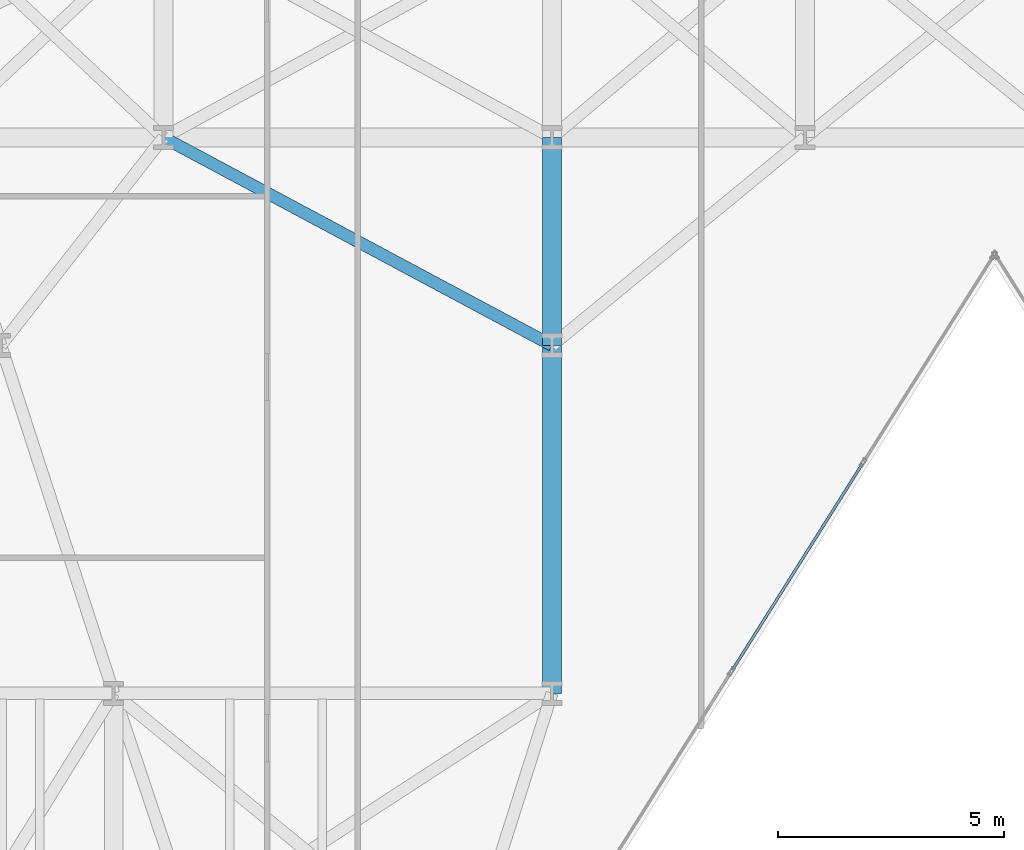
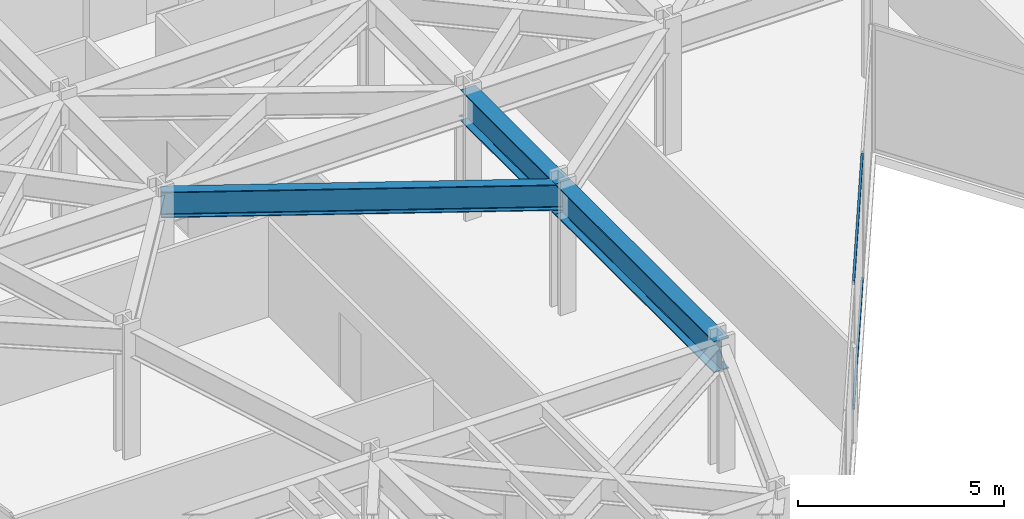
# One storey, part 9 of 24: 3 beams, 2 members, 1 element without a shape of its own.
"""IFC4 building model written with IfcOpenShell, lengths in metres."""

import ifcopenshell
import ifcopenshell.guid

model = None  # the IFC model being written
_history = None  # IfcOwnerHistory: only IFC2X3 demands one
_inside = {}  # id of a spatial element -> (the spatial element, [elements in it])
_under = {}  # id of a project, library or spatial element -> (it, [spatial elements below it])
_declared = {}  # id of a project -> (the project, [libraries it declares])
_typed = {}  # id of a type object -> (the type object, [elements of that type])
_made_of = {}  # id of a material, layer set ... -> (it, [elements and type objects made of it])


def new_model(schema):
    """Start an empty IFC model of exactly this schema.

    Asked for "IFC4X3", IfcOpenShell would pick the latest addendum, in which some entities
    have other attributes; the version numbers below select the first issue.
    IFC2X3 requires an IfcOwnerHistory on every rooted entity: one is made here for all.
    """
    global model, _history
    if schema == "IFC4X3":
        model = ifcopenshell.file(schema_version=(4, 3, 0, 0))
    else:
        model = ifcopenshell.file(schema=schema)
    _inside.clear()
    _under.clear()
    _declared.clear()
    _typed.clear()
    _made_of.clear()
    _history = None
    if model.schema == "IFC2X3":
        org = make("IfcOrganization", Name="unknown")
        user = make(
            "IfcPersonAndOrganization",
            ThePerson=make("IfcPerson", FamilyName="unknown"),
            TheOrganization=org,
        )
        app = make(
            "IfcApplication",
            ApplicationDeveloper=org,
            Version="unknown",
            ApplicationFullName="unknown",
            ApplicationIdentifier="unknown",
        )
        _history = make(
            "IfcOwnerHistory",
            OwningUser=user,
            OwningApplication=app,
            ChangeAction="ADDED",
            CreationDate=0,
        )
    return model


def make(cls, **values):
    """One entity of the class cls with the attributes given. An attribute that is None is left unset."""
    return model.create_entity(
        cls, **{name: value for name, value in values.items() if value is not None}
    )


def rooted(cls, **values):
    """An entity with a GlobalId (a new one), such as an element, a storey or a relation."""
    return make(cls, GlobalId=ifcopenshell.guid.new(), OwnerHistory=_history, **values)


def si_unit(unit_type, name, prefix=None):
    """IfcSIUnit, for example si_unit("LENGTHUNIT", "METRE", prefix="MILLI")."""
    return make("IfcSIUnit", UnitType=unit_type, Prefix=prefix, Name=name)


def assignment(units):
    """IfcUnitAssignment: the units of a project."""
    return None if units is None else make("IfcUnitAssignment", Units=units)


def point(xyz):
    """IfcCartesianPoint."""
    return None if xyz is None else make("IfcCartesianPoint", Coordinates=xyz)


def direction(xyz):
    """IfcDirection."""
    return None if xyz is None else make("IfcDirection", DirectionRatios=xyz)


def frame(location, z_axis=None, x_axis=None):
    """IfcAxis2Placement3D, a coordinate frame: its origin and axes. An axis left out is left unset."""
    return make(
        "IfcAxis2Placement3D",
        Location=point(location),
        Axis=direction(z_axis),
        RefDirection=direction(x_axis),
    )


def frame_2d(location, x_axis=None):
    """IfcAxis2Placement2D, a coordinate frame in the plane: its origin and x axis."""
    return make(
        "IfcAxis2Placement2D", Location=point(location), RefDirection=direction(x_axis)
    )


def origin():
    """The frame at (0, 0, 0) with its axes left unset."""
    return frame((0.0, 0.0, 0.0))


def origin_2d():
    """The frame at (0, 0) in the plane with its x axis left unset."""
    return frame_2d((0.0, 0.0))


def place(relative_to, where):
    """IfcLocalPlacement: puts the frame where relative to a parent placement (None: the world)."""
    return make(
        "IfcLocalPlacement", PlacementRelTo=relative_to, RelativePlacement=where
    )


def context(
    kind, dimensions, precision=None, world=None, true_north=None, identifier=None
):
    """IfcGeometricRepresentationContext, for example the 3D "Model" context."""
    return make(
        "IfcGeometricRepresentationContext",
        ContextIdentifier=identifier,
        ContextType=kind,
        CoordinateSpaceDimension=dimensions,
        Precision=precision,
        WorldCoordinateSystem=world,
        TrueNorth=true_north,
    )


def subcontext(parent, identifier, kind, view, scale=None):
    """IfcGeometricRepresentationSubContext, for example "Body" below "Model"."""
    return make(
        "IfcGeometricRepresentationSubContext",
        ContextIdentifier=identifier,
        ContextType=kind,
        ParentContext=parent,
        TargetScale=scale,
        TargetView=view,
    )


def project(units=None, contexts=None):
    """IfcProject with its units and contexts."""
    return rooted(
        "IfcProject",
        Name="project",
        RepresentationContexts=contexts,
        UnitsInContext=assignment(units),
    )


def spatial(cls, under=None, at=None, **own):
    """A site, building, storey or space (cls), placed at a placement, below another one or the project."""
    s = rooted(cls, ObjectPlacement=at, **own)
    if under is not None:
        _under.setdefault(under.id(), (under, []))[1].append(s)
    return s


def profile(cls, at=None, kind="AREA", **sizes):
    """A parametric profile (cls). Its sizes go by their IFC names, for example OverallWidth=200.0."""
    return make(cls, ProfileType=kind, Position=at, **sizes)


def hollow_rectangle(**sizes):
    """IfcRectangleHollowProfileDef."""
    return profile("IfcRectangleHollowProfileDef", **sizes)


def i_section(**sizes):
    """IfcIShapeProfileDef."""
    return profile("IfcIShapeProfileDef", **sizes)


def extrude(swept, where, along, depth):
    """IfcExtrudedAreaSolid: the profile swept, set in the frame where, extruded along a direction by depth."""
    return make(
        "IfcExtrudedAreaSolid",
        SweptArea=swept,
        Position=where,
        ExtrudedDirection=direction(along),
        Depth=depth,
    )


def shape(context_of_items, identifier, shape_type, items):
    """IfcShapeRepresentation: the items that make up one representation, for example the "Body"."""
    return make(
        "IfcShapeRepresentation",
        ContextOfItems=context_of_items,
        RepresentationIdentifier=identifier,
        RepresentationType=shape_type,
        Items=items,
    )


def material(Name=None, Category=None):
    """IfcMaterial."""
    return make("IfcMaterial", Name=Name, Category=Category)


def layer(
    of_material, thickness, ventilated=None, Name=None, Category=None, Priority=None
):
    """IfcMaterialLayer: one layer of a wall or slab, of a material (None: an air gap)."""
    return make(
        "IfcMaterialLayer",
        Material=of_material,
        LayerThickness=thickness,
        IsVentilated=ventilated,
        Name=Name,
        Category=Category,
        Priority=Priority,
    )


def layer_set(layers, Name=None):
    """IfcMaterialLayerSet."""
    return make("IfcMaterialLayerSet", MaterialLayers=layers, LayerSetName=Name)


def material_profile(
    of_material, cross_section, Name=None, Category=None, Priority=None
):
    """IfcMaterialProfile: a cross section and its material."""
    return make(
        "IfcMaterialProfile",
        Name=Name,
        Material=of_material,
        Profile=cross_section,
        Priority=Priority,
        Category=Category,
    )


def profile_set(profiles, Name=None, composite=None):
    """IfcMaterialProfileSet."""
    return make(
        "IfcMaterialProfileSet",
        Name=Name,
        MaterialProfiles=profiles,
        CompositeProfile=composite,
    )


def made_of(thing, what):
    """Note that an element or type object is made of a material, layer set ...; save() writes the relation."""
    if what is not None:
        _made_of.setdefault(what.id(), (what, []))[1].append(thing)
    return thing


def type_object(cls, material=None, **own):
    """A type object (cls), such as IfcWallType, which elements share."""
    return made_of(rooted(cls, **own), material)


def element(
    cls,
    number,
    at=None,
    inside=None,
    cuts=None,
    type_object=None,
    material=None,
    context=None,
    identifier="Body",
    shape_type=None,
    held_by="IfcProductDefinitionShape",
    body=None,
    shapes=None,
    **own,
):
    """One element of the class cls, such as IfcWall. Its Tag is "e" and its number.

    at: its placement. inside: the storey or other place that contains it. cuts: it is an
    opening in that element (IfcRelVoidsElement). A single representation is given by context,
    identifier, shape_type and body (its items); several are given by shapes. held_by: the class
    of the entity that holds the representations. save() writes the other relations.
    """
    e = rooted(cls, Tag="e%d" % number, ObjectPlacement=at, **own)
    if body is not None:
        shapes = [shape(context, identifier, shape_type, body)]
    if shapes is not None:
        e.Representation = make(held_by, Representations=shapes)
    if inside is not None:
        _inside.setdefault(inside.id(), (inside, []))[1].append(e)
    if cuts is not None:
        rooted(
            "IfcRelVoidsElement", RelatingBuildingElement=cuts, RelatedOpeningElement=e
        )
    if type_object is not None:
        _typed.setdefault(type_object.id(), (type_object, []))[1].append(e)
    return made_of(e, material)


def aggregate(whole, parts):
    """IfcRelAggregates: a whole, such as a stair, and the parts it consists of."""
    return rooted("IfcRelAggregates", RelatingObject=whole, RelatedObjects=parts)


def save(model, path):
    """Write the relations noted so far, then the file.

    IfcRelAggregates (storeys below a building ...), IfcRelContainedInSpatialStructure (elements
    in a storey), IfcRelDefinesByType, IfcRelAssociatesMaterial and IfcRelDeclares: one each for
    every whole, place, type object, material and project.
    """
    for whole, parts in _under.values():
        aggregate(whole, parts)
    for where, things in _inside.values():
        rooted(
            "IfcRelContainedInSpatialStructure",
            RelatedElements=things,
            RelatingStructure=where,
        )
    for kind, things in _typed.values():
        rooted("IfcRelDefinesByType", RelatedObjects=things, RelatingType=kind)
    for what, things in _made_of.values():
        rooted("IfcRelAssociatesMaterial", RelatedObjects=things, RelatingMaterial=what)
    for by, libraries in _declared.values():
        rooted("IfcRelDeclares", RelatingContext=by, RelatedDefinitions=libraries)
    model.write(path)


model = new_model("IFC4")

# Units and contexts
model_context = context("Model", 3, precision=1e-05, world=origin(), true_north=direction((0.0, 1.0)))
body_context = subcontext(model_context, "Body", "Model", "MODEL_VIEW")
ifc_project = project(units=[si_unit("LENGTHUNIT", "METRE"), si_unit("AREAUNIT", "SQUARE_METRE"), si_unit("VOLUMEUNIT", "CUBIC_METRE"), si_unit("PLANEANGLEUNIT", "RADIAN"), si_unit("MASSUNIT", "GRAM", prefix="KILO")], contexts=[model_context])

# Site, building, storey
site_placement = place(None, origin())
site = spatial("IfcSite", under=ifc_project, at=site_placement, CompositionType="ELEMENT")
building_placement = place(site_placement, origin())
building = spatial("IfcBuilding", under=site, at=building_placement, Name="Kravanh Interchange Tower", CompositionType="ELEMENT")
storey_placement = place(building_placement, frame((0.0, 0.0, 53.5)))
storey = spatial("IfcBuildingStorey", under=building, at=storey_placement, Name="L12", CompositionType="ELEMENT", Elevation=53.5)

# Curtain wall, members
ifc_material_1 = material(Name="Anodised Bronze Aluminium", Category="aluminium")
ifc_layer = layer(ifc_material_1, 0.179931640625)
ifc_layer_set = layer_set([ifc_layer], Name="Unitised Curtain Wall System CW-Z1 Lower Office")
curtain_wall_type = type_object("IfcCurtainWallType", Name="Unitised Curtain Wall System CW-Z1 Lower Office", PredefinedType="NOTDEFINED", material=ifc_layer_set)
curtain_wall_placement = place(storey_placement, origin())
curtain_wall = element("IfcCurtainWall", 1, at=curtain_wall_placement, inside=storey, type_object=curtain_wall_type, Name="L12 Unitised Curtain Wall CW-L12-05", PredefinedType="NOTDEFINED")
ifc_material_2 = material(Name="Anodised Bronze Aluminium", Category="aluminium")
ifc_material_profile_1 = material_profile(ifc_material_2, hollow_rectangle(XDim=0.06005859375, YDim=0.139892578125, WallThickness=0.00390625, at=origin_2d()), Name="ALU60X140X4")
ifc_profile_set_1 = profile_set([ifc_material_profile_1], Name="Anodised Bronze Aluminium")
member_type = type_object("IfcMemberType", Name="Curtain Wall Transom ALU60X140X4 Bronze", PredefinedType="USERDEFINED", material=ifc_profile_set_1)
member_1_placement = place(storey_placement, frame((34.068115234375, 19.574462890625, 0.030029296875), z_axis=(-0.533311487456, -0.84591894254, 0.0), x_axis=(0.84591894254, -0.533311487456, 0.0)))
member_1 = element("IfcMember", 2, at=member_1_placement, type_object=member_type, Name="CW-Z1 transom 2.1", ObjectType="TRANSOM", PredefinedType="USERDEFINED", context=body_context, shape_type="SweptSolid", body=[
    extrude(hollow_rectangle(XDim=0.06005859375, YDim=0.139892578125, WallThickness=0.00390625, at=origin_2d()), origin(), (0.0, 0.0, 1.0), 5.392578125),
])
member_2_placement = place(storey_placement, frame((34.068115234375, 19.574462890625, 3.7099609375), z_axis=(-0.533311487456, -0.84591894254, 0.0), x_axis=(0.84591894254, -0.533311487456, 0.0)))
member_2 = element("IfcMember", 3, at=member_2_placement, type_object=member_type, Name="CW-Z1 transom 2.2", ObjectType="TRANSOM", PredefinedType="USERDEFINED", context=body_context, shape_type="SweptSolid", body=[
    extrude(hollow_rectangle(XDim=0.06005859375, YDim=0.139892578125, WallThickness=0.00390625, at=origin_2d()), origin(), (0.0, 0.0, 1.0), 5.392578125),
])
aggregate(curtain_wall, [member_1, member_2])

# Beams
ifc_material_3 = material(Name="Structural Steel S355", Category="steel")
ifc_material_profile_2 = material_profile(ifc_material_3, i_section(OverallWidth=0.41796875, OverallDepth=0.927001953125, WebThickness=0.019287109375, FlangeThickness=0.031982421875, FilletRadius=0.028076171875, at=origin_2d()), Name="W36X231")
ifc_profile_set_2 = profile_set([ifc_material_profile_2], Name="Structural Steel S355")
beam_type_1 = type_object("IfcBeamType", Name="Floor Beam W36X231 Structural Steel S355", PredefinedType="BEAM", material=ifc_profile_set_2)
beam_1_placement = place(storey_placement, frame((27.199951171875, 22.199951171875, 3.276611328125), z_axis=(0.0, 1.0, 0.0), x_axis=(-1.0, 0.0, 0.0)))
element("IfcBeam", 4, at=beam_1_placement, inside=storey, type_object=beam_type_1, Name="L12 Primary Floor Girder 54", PredefinedType="BEAM", context=body_context, shape_type="SweptSolid", body=[
    extrude(i_section(OverallWidth=0.41796875, OverallDepth=0.927001953125, WebThickness=0.019287109375, FlangeThickness=0.031982421875, FilletRadius=0.028076171875, at=origin_2d()), origin(), (0.0, 0.0, 1.0), 4.60009765625),
])
beam_2_placement = place(storey_placement, frame((27.199951171875, 22.199951171875, 3.276611328125), z_axis=(0.0, -1.0, 0.0), x_axis=(1.0, 0.0, 0.0)))
element("IfcBeam", 5, at=beam_2_placement, inside=storey, type_object=beam_type_1, Name="L12 Primary Floor Girder 56", PredefinedType="BEAM", context=body_context, shape_type="SweptSolid", body=[
    extrude(i_section(OverallWidth=0.41796875, OverallDepth=0.927001953125, WebThickness=0.019287109375, FlangeThickness=0.031982421875, FilletRadius=0.028076171875, at=origin_2d()), origin(), (0.0, 0.0, 1.0), 7.699951171875),
])
ifc_material_4 = material(Name="Structural Steel S355", Category="steel")
ifc_material_profile_3 = material_profile(ifc_material_4, i_section(OverallWidth=0.26708984375, OverallDepth=0.761962890625, WebThickness=0.014404296875, FlangeThickness=0.021484375, FilletRadius=0.02490234375, at=origin_2d()), Name="W30X116")
ifc_profile_set_3 = profile_set([ifc_material_profile_3], Name="Structural Steel S355")
beam_type_2 = type_object("IfcBeamType", Name="Floor Spandrel W30X116 Structural Steel S355", PredefinedType="SPANDREL", material=ifc_profile_set_3)
beam_3_placement = place(storey_placement, frame((27.199951171875, 22.199951171875, 3.35888671875), z_axis=(-0.881777136221, 0.471666282489, 0.0), x_axis=(-0.471666282489, -0.881777136221, 0.0)))
element("IfcBeam", 6, at=beam_3_placement, inside=storey, type_object=beam_type_2, Name="L12 Perimeter Spandrel 57", PredefinedType="SPANDREL", context=body_context, shape_type="SweptSolid", body=[
    extrude(i_section(OverallWidth=0.26708984375, OverallDepth=0.761962890625, WebThickness=0.014404296875, FlangeThickness=0.021484375, FilletRadius=0.02490234375, at=origin_2d()), origin(), (0.0, 0.0, 1.0), 9.7529296875),
])

save(model, "model.ifc")
